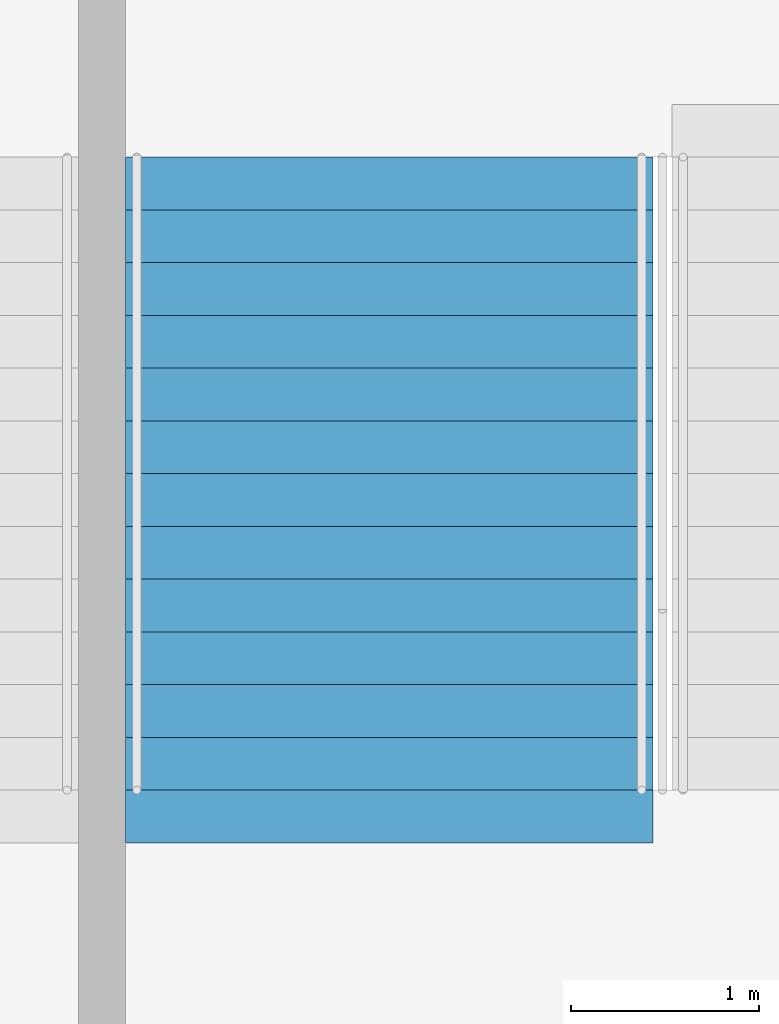
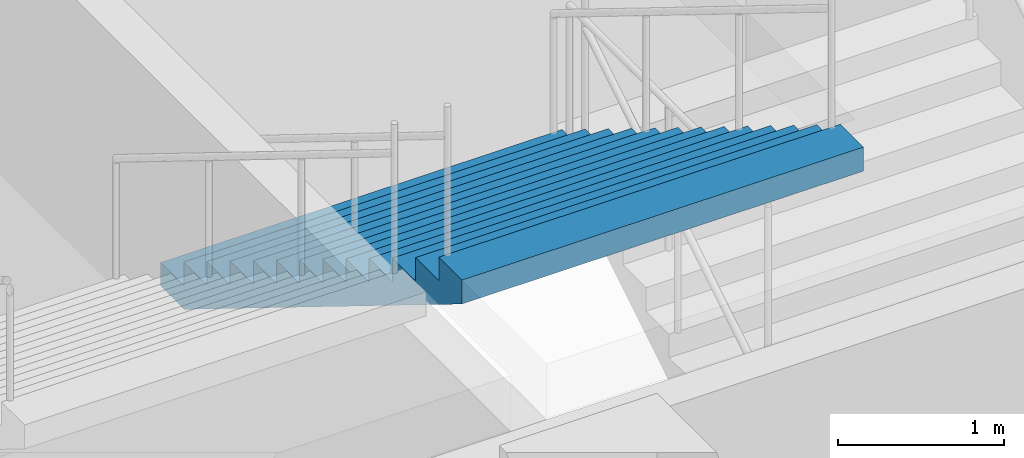
# One storey, part 130 of 175: 1 stair flight, 1 element without a shape of its own.
"""IFC4 building model written with IfcOpenShell, lengths in metres."""

from ifc_helpers import new_model, si_unit, direction, frame, origin, place, context, subcontext, project, spatial, faceted_brep, material, type_object, element, aggregate, save


model = new_model("IFC4")

# Units and contexts
model_context = context("Model", 3, precision=1e-05, world=origin(), true_north=direction((0.0, 1.0)))
body_context = subcontext(model_context, "Body", "Model", "MODEL_VIEW")
ifc_project = project(units=[si_unit("LENGTHUNIT", "METRE"), si_unit("AREAUNIT", "SQUARE_METRE"), si_unit("VOLUMEUNIT", "CUBIC_METRE"), si_unit("PLANEANGLEUNIT", "RADIAN"), si_unit("MASSUNIT", "GRAM", prefix="KILO")], contexts=[model_context])

# Site, building, storey
site_placement = place(None, origin())
site = spatial("IfcSite", under=ifc_project, at=site_placement, CompositionType="ELEMENT")
building_placement = place(site_placement, origin())
building = spatial("IfcBuilding", under=site, at=building_placement, Name="Ogive Plaza Stadium", CompositionType="ELEMENT")
storey_placement = place(building_placement, origin())
storey = spatial("IfcBuildingStorey", under=building, at=storey_placement, Name="L00", CompositionType="ELEMENT", Elevation=0.0)

# Stair, stair flight
ifc_material_1 = material(Name="Concrete C40/50", Category="concrete")
stair_type = type_object("IfcStairType", Name="Exit stair", PredefinedType="STRAIGHT_RUN_STAIR", material=ifc_material_1)
stair_placement = place(storey_placement, origin())
stair = element("IfcStair", 1, at=stair_placement, inside=storey, type_object=stair_type, Name="Exit stair ST32A L00 to L01", PredefinedType="STRAIGHT_RUN_STAIR")
ifc_material_2 = material(Name="Concrete C40/50", Category="concrete")
stair_flight_type = type_object("IfcStairFlightType", Name="Exit stair flight", PredefinedType="STRAIGHT", material=ifc_material_2)
stair_flight_placement = place(storey_placement, frame((-32.47509765625, 98.2099609375, 2.25), z_axis=(0.0, 0.0, 1.0), x_axis=(0.0, -1.0, 0.0)))
stair_flight = element("IfcStairFlight", 2, at=stair_flight_placement, type_object=stair_flight_type, Name="ST32A flight 2", NumberOfRisers=13, NumberOfTreads=12, PredefinedType="STRAIGHT", RiserHeight=0.173076923, TreadLength=0.28, context=body_context, shape_type="Brep", body=[
    faceted_brep([(0.28515625, -1.39990234375, 0.0), (3.639892578125, -1.39990234375, 2.07373046875), (3.639892578125, -1.39990234375, 2.25), (3.360107421875, -1.39990234375, 2.25), (3.360107421875, -1.39990234375, 2.076904296875), (3.080078125, -1.39990234375, 2.076904296875), (3.080078125, -1.39990234375, 1.90380859375), (2.800048828125, -1.39990234375, 1.90380859375), (2.800048828125, -1.39990234375, 1.730712890625), (2.52001953125, -1.39990234375, 1.730712890625), (2.52001953125, -1.39990234375, 1.5576171875), (2.239990234375, -1.39990234375, 1.5576171875), (2.239990234375, -1.39990234375, 1.384521484375), (1.9599609375, -1.39990234375, 1.384521484375), (1.9599609375, -1.39990234375, 1.21142578125), (1.679931640625, -1.39990234375, 1.21142578125), (1.679931640625, -1.39990234375, 1.03857421875), (1.39990234375, -1.39990234375, 1.03857421875), (1.39990234375, -1.39990234375, 0.865478515625), (1.1201171875, -1.39990234375, 0.865478515625), (1.1201171875, -1.39990234375, 0.6923828125), (0.840087890625, -1.39990234375, 0.6923828125), (0.840087890625, -1.39990234375, 0.519287109375), (0.56005859375, -1.39990234375, 0.519287109375), (0.56005859375, -1.39990234375, 0.34619140625), (0.280029296875, -1.39990234375, 0.34619140625), (0.280029296875, -1.39990234375, 0.173095703125), (0.0, -1.39990234375, 0.173095703125), (0.0, -1.39990234375, 0.0), (0.0, 1.39990234375, 0.0), (0.0, 1.39990234375, 0.173095703125), (0.280029296875, 1.39990234375, 0.173095703125), (0.280029296875, 1.39990234375, 0.34619140625), (0.56005859375, 1.39990234375, 0.34619140625), (0.56005859375, 1.39990234375, 0.519287109375), (0.840087890625, 1.39990234375, 0.519287109375), (0.840087890625, 1.39990234375, 0.6923828125), (1.1201171875, 1.39990234375, 0.6923828125), (1.1201171875, 1.39990234375, 0.865478515625), (1.39990234375, 1.39990234375, 0.865478515625), (1.39990234375, 1.39990234375, 1.03857421875), (1.679931640625, 1.39990234375, 1.03857421875), (1.679931640625, 1.39990234375, 1.21142578125), (1.9599609375, 1.39990234375, 1.21142578125), (1.9599609375, 1.39990234375, 1.384521484375), (2.239990234375, 1.39990234375, 1.384521484375), (2.239990234375, 1.39990234375, 1.5576171875), (2.52001953125, 1.39990234375, 1.5576171875), (2.52001953125, 1.39990234375, 1.730712890625), (2.800048828125, 1.39990234375, 1.730712890625), (2.800048828125, 1.39990234375, 1.90380859375), (3.080078125, 1.39990234375, 1.90380859375), (3.080078125, 1.39990234375, 2.076904296875), (3.360107421875, 1.39990234375, 2.076904296875), (3.360107421875, 1.39990234375, 2.25), (3.639892578125, 1.39990234375, 2.25), (3.639892578125, 1.39990234375, 2.07373046875), (0.28515625, 1.39990234375, 0.0), (0.28515625, -1.0888671875, 0.0), (3.639892578125, -1.0888671875, 2.07373046875), (0.28515625, -0.77783203125, 0.0), (3.639892578125, -0.77783203125, 2.07373046875), (0.28515625, -0.466796875, 0.0), (3.639892578125, -0.466796875, 2.07373046875), (0.28515625, -0.155517578125, 0.0), (3.639892578125, -0.155517578125, 2.07373046875), (0.28515625, 0.155517578125, 0.0), (3.639892578125, 0.155517578125, 2.07373046875), (0.28515625, 0.466796875, 0.0), (3.639892578125, 0.466796875, 2.07373046875), (0.28515625, 0.77783203125, 0.0), (3.639892578125, 0.77783203125, 2.07373046875), (0.28515625, 1.0888671875, 0.0), (3.639892578125, 1.0888671875, 2.07373046875), (3.639892578125, -1.0888671875, 2.25), (3.639892578125, -0.77783203125, 2.25), (3.639892578125, -0.466796875, 2.25), (3.639892578125, -0.155517578125, 2.25), (3.639892578125, 0.155517578125, 2.25), (3.639892578125, 0.466796875, 2.25), (3.639892578125, 0.77783203125, 2.25), (3.639892578125, 1.0888671875, 2.25), (3.360107421875, -1.0888671875, 2.25), (3.360107421875, -0.77783203125, 2.25), (3.360107421875, -0.466796875, 2.25), (3.360107421875, -0.155517578125, 2.25), (3.360107421875, 0.155517578125, 2.25), (3.360107421875, 0.466796875, 2.25), (3.360107421875, 0.77783203125, 2.25), (3.360107421875, 1.0888671875, 2.25), (3.360107421875, -1.0888671875, 2.076904296875), (3.360107421875, -0.77783203125, 2.076904296875), (3.360107421875, -0.466796875, 2.076904296875), (3.360107421875, -0.155517578125, 2.076904296875), (3.360107421875, 0.155517578125, 2.076904296875), (3.360107421875, 0.466796875, 2.076904296875), (3.360107421875, 0.77783203125, 2.076904296875), (3.360107421875, 1.0888671875, 2.076904296875), (3.080078125, -1.0888671875, 2.076904296875), (3.080078125, -0.77783203125, 2.076904296875), (3.080078125, -0.466796875, 2.076904296875), (3.080078125, -0.155517578125, 2.076904296875), (3.080078125, 0.155517578125, 2.076904296875), (3.080078125, 0.466796875, 2.076904296875), (3.080078125, 0.77783203125, 2.076904296875), (3.080078125, 1.0888671875, 2.076904296875), (3.080078125, -1.0888671875, 1.90380859375), (3.080078125, -0.77783203125, 1.90380859375), (3.080078125, -0.466796875, 1.90380859375), (3.080078125, -0.155517578125, 1.90380859375), (3.080078125, 0.155517578125, 1.90380859375), (3.080078125, 0.466796875, 1.90380859375), (3.080078125, 0.77783203125, 1.90380859375), (3.080078125, 1.0888671875, 1.90380859375), (2.800048828125, -1.0888671875, 1.90380859375), (2.800048828125, -0.77783203125, 1.90380859375), (2.800048828125, -0.466796875, 1.90380859375), (2.800048828125, -0.155517578125, 1.90380859375), (2.800048828125, 0.155517578125, 1.90380859375), (2.800048828125, 0.466796875, 1.90380859375), (2.800048828125, 0.77783203125, 1.90380859375), (2.800048828125, 1.0888671875, 1.90380859375), (2.800048828125, -1.0888671875, 1.730712890625), (2.800048828125, -0.77783203125, 1.730712890625), (2.800048828125, -0.466796875, 1.730712890625), (2.800048828125, -0.155517578125, 1.730712890625), (2.800048828125, 0.155517578125, 1.730712890625), (2.800048828125, 0.466796875, 1.730712890625), (2.800048828125, 0.77783203125, 1.730712890625), (2.800048828125, 1.0888671875, 1.730712890625), (2.52001953125, -1.0888671875, 1.730712890625), (2.52001953125, -0.77783203125, 1.730712890625), (2.52001953125, -0.466796875, 1.730712890625), (2.52001953125, -0.155517578125, 1.730712890625), (2.52001953125, 0.155517578125, 1.730712890625), (2.52001953125, 0.466796875, 1.730712890625), (2.52001953125, 0.77783203125, 1.730712890625), (2.52001953125, 1.0888671875, 1.730712890625), (2.52001953125, -1.0888671875, 1.5576171875), (2.52001953125, -0.77783203125, 1.5576171875), (2.52001953125, -0.466796875, 1.5576171875), (2.52001953125, -0.155517578125, 1.5576171875), (2.52001953125, 0.155517578125, 1.5576171875), (2.52001953125, 0.466796875, 1.5576171875), (2.52001953125, 0.77783203125, 1.5576171875), (2.52001953125, 1.0888671875, 1.5576171875), (2.239990234375, -1.0888671875, 1.5576171875), (2.239990234375, -0.77783203125, 1.5576171875), (2.239990234375, -0.466796875, 1.5576171875), (2.239990234375, -0.155517578125, 1.5576171875), (2.239990234375, 0.155517578125, 1.5576171875), (2.239990234375, 0.466796875, 1.5576171875), (2.239990234375, 0.77783203125, 1.5576171875), (2.239990234375, 1.0888671875, 1.5576171875), (2.239990234375, -1.0888671875, 1.384521484375), (2.239990234375, -0.77783203125, 1.384521484375), (2.239990234375, -0.466796875, 1.384521484375), (2.239990234375, -0.155517578125, 1.384521484375), (2.239990234375, 0.155517578125, 1.384521484375), (2.239990234375, 0.466796875, 1.384521484375), (2.239990234375, 0.77783203125, 1.384521484375), (2.239990234375, 1.0888671875, 1.384521484375), (1.9599609375, -1.0888671875, 1.384521484375), (1.9599609375, -0.77783203125, 1.384521484375), (1.9599609375, -0.466796875, 1.384521484375), (1.9599609375, -0.155517578125, 1.384521484375), (1.9599609375, 0.155517578125, 1.384521484375), (1.9599609375, 0.466796875, 1.384521484375), (1.9599609375, 0.77783203125, 1.384521484375), (1.9599609375, 1.0888671875, 1.384521484375), (1.9599609375, -1.0888671875, 1.21142578125), (1.9599609375, -0.77783203125, 1.21142578125), (1.9599609375, -0.466796875, 1.21142578125), (1.9599609375, -0.155517578125, 1.21142578125), (1.9599609375, 0.155517578125, 1.21142578125), (1.9599609375, 0.466796875, 1.21142578125), (1.9599609375, 0.77783203125, 1.21142578125), (1.9599609375, 1.0888671875, 1.21142578125), (1.679931640625, -1.0888671875, 1.21142578125), (1.679931640625, -0.77783203125, 1.21142578125), (1.679931640625, -0.466796875, 1.21142578125), (1.679931640625, -0.155517578125, 1.21142578125), (1.679931640625, 0.155517578125, 1.21142578125), (1.679931640625, 0.466796875, 1.21142578125), (1.679931640625, 0.77783203125, 1.21142578125), (1.679931640625, 1.0888671875, 1.21142578125), (1.679931640625, -1.0888671875, 1.03857421875), (1.679931640625, -0.77783203125, 1.03857421875), (1.679931640625, -0.466796875, 1.03857421875), (1.679931640625, -0.155517578125, 1.03857421875), (1.679931640625, 0.155517578125, 1.03857421875), (1.679931640625, 0.466796875, 1.03857421875), (1.679931640625, 0.77783203125, 1.03857421875), (1.679931640625, 1.0888671875, 1.03857421875), (1.39990234375, -1.0888671875, 1.03857421875), (1.39990234375, -0.77783203125, 1.03857421875), (1.39990234375, -0.466796875, 1.03857421875), (1.39990234375, -0.155517578125, 1.03857421875), (1.39990234375, 0.155517578125, 1.03857421875), (1.39990234375, 0.466796875, 1.03857421875), (1.39990234375, 0.77783203125, 1.03857421875), (1.39990234375, 1.0888671875, 1.03857421875), (1.39990234375, -1.0888671875, 0.865478515625), (1.39990234375, -0.77783203125, 0.865478515625), (1.39990234375, -0.466796875, 0.865478515625), (1.39990234375, -0.155517578125, 0.865478515625), (1.39990234375, 0.155517578125, 0.865478515625), (1.39990234375, 0.466796875, 0.865478515625), (1.39990234375, 0.77783203125, 0.865478515625), (1.39990234375, 1.0888671875, 0.865478515625), (1.1201171875, -1.0888671875, 0.865478515625), (1.1201171875, -0.77783203125, 0.865478515625), (1.1201171875, -0.466796875, 0.865478515625), (1.1201171875, -0.155517578125, 0.865478515625), (1.1201171875, 0.155517578125, 0.865478515625), (1.1201171875, 0.466796875, 0.865478515625), (1.1201171875, 0.77783203125, 0.865478515625), (1.1201171875, 1.0888671875, 0.865478515625), (1.1201171875, -1.0888671875, 0.6923828125), (1.1201171875, -0.77783203125, 0.6923828125), (1.1201171875, -0.466796875, 0.6923828125), (1.1201171875, -0.155517578125, 0.6923828125), (1.1201171875, 0.155517578125, 0.6923828125), (1.1201171875, 0.466796875, 0.6923828125), (1.1201171875, 0.77783203125, 0.6923828125), (1.1201171875, 1.0888671875, 0.6923828125), (0.840087890625, -1.0888671875, 0.6923828125), (0.840087890625, -0.77783203125, 0.6923828125), (0.840087890625, -0.466796875, 0.6923828125), (0.840087890625, -0.155517578125, 0.6923828125), (0.840087890625, 0.155517578125, 0.6923828125), (0.840087890625, 0.466796875, 0.6923828125), (0.840087890625, 0.77783203125, 0.6923828125), (0.840087890625, 1.0888671875, 0.6923828125), (0.840087890625, -1.0888671875, 0.519287109375), (0.840087890625, -0.77783203125, 0.519287109375), (0.840087890625, -0.466796875, 0.519287109375), (0.840087890625, -0.155517578125, 0.519287109375), (0.840087890625, 0.155517578125, 0.519287109375), (0.840087890625, 0.466796875, 0.519287109375), (0.840087890625, 0.77783203125, 0.519287109375), (0.840087890625, 1.0888671875, 0.519287109375), (0.56005859375, -1.0888671875, 0.519287109375), (0.56005859375, -0.77783203125, 0.519287109375), (0.56005859375, -0.466796875, 0.519287109375), (0.56005859375, -0.155517578125, 0.519287109375), (0.56005859375, 0.155517578125, 0.519287109375), (0.56005859375, 0.466796875, 0.519287109375), (0.56005859375, 0.77783203125, 0.519287109375), (0.56005859375, 1.0888671875, 0.519287109375), (0.56005859375, -1.0888671875, 0.34619140625), (0.56005859375, -0.77783203125, 0.34619140625), (0.56005859375, -0.466796875, 0.34619140625), (0.56005859375, -0.155517578125, 0.34619140625), (0.56005859375, 0.155517578125, 0.34619140625), (0.56005859375, 0.466796875, 0.34619140625), (0.56005859375, 0.77783203125, 0.34619140625), (0.56005859375, 1.0888671875, 0.34619140625), (0.280029296875, -1.0888671875, 0.34619140625), (0.280029296875, -0.77783203125, 0.34619140625), (0.280029296875, -0.466796875, 0.34619140625), (0.280029296875, -0.155517578125, 0.34619140625), (0.280029296875, 0.155517578125, 0.34619140625), (0.280029296875, 0.466796875, 0.34619140625), (0.280029296875, 0.77783203125, 0.34619140625), (0.280029296875, 1.0888671875, 0.34619140625), (0.280029296875, -1.0888671875, 0.173095703125), (0.280029296875, -0.77783203125, 0.173095703125), (0.280029296875, -0.466796875, 0.173095703125), (0.280029296875, -0.155517578125, 0.173095703125), (0.280029296875, 0.155517578125, 0.173095703125), (0.280029296875, 0.466796875, 0.173095703125), (0.280029296875, 0.77783203125, 0.173095703125), (0.280029296875, 1.0888671875, 0.173095703125), (0.0, -1.0888671875, 0.173095703125), (0.0, -0.77783203125, 0.173095703125), (0.0, -0.466796875, 0.173095703125), (0.0, -0.155517578125, 0.173095703125), (0.0, 0.155517578125, 0.173095703125), (0.0, 0.466796875, 0.173095703125), (0.0, 0.77783203125, 0.173095703125), (0.0, 1.0888671875, 0.173095703125), (0.0, -1.0888671875, 0.0), (0.0, -0.77783203125, 0.0), (0.0, -0.466796875, 0.0), (0.0, -0.155517578125, 0.0), (0.0, 0.155517578125, 0.0), (0.0, 0.466796875, 0.0), (0.0, 0.77783203125, 0.0), (0.0, 1.0888671875, 0.0)], [[[0, 1, 2, 3, 4, 5, 6, 7, 8, 9, 10, 11, 12, 13, 14, 15, 16, 17, 18, 19, 20, 21, 22, 23, 24, 25, 26, 27, 28]], [[29, 30, 31, 32, 33, 34, 35, 36, 37, 38, 39, 40, 41, 42, 43, 44, 45, 46, 47, 48, 49, 50, 51, 52, 53, 54, 55, 56, 57]], [[0, 58, 59, 1]], [[58, 60, 61, 59]], [[60, 62, 63, 61]], [[62, 64, 65, 63]], [[64, 66, 67, 65]], [[66, 68, 69, 67]], [[68, 70, 71, 69]], [[70, 72, 73, 71]], [[72, 57, 56, 73]], [[1, 59, 74, 2]], [[59, 61, 75, 74]], [[61, 63, 76, 75]], [[63, 65, 77, 76]], [[65, 67, 78, 77]], [[67, 69, 79, 78]], [[69, 71, 80, 79]], [[71, 73, 81, 80]], [[73, 56, 55, 81]], [[2, 74, 82, 3]], [[74, 75, 83, 82]], [[75, 76, 84, 83]], [[76, 77, 85, 84]], [[77, 78, 86, 85]], [[78, 79, 87, 86]], [[79, 80, 88, 87]], [[80, 81, 89, 88]], [[81, 55, 54, 89]], [[3, 82, 90, 4]], [[82, 83, 91, 90]], [[83, 84, 92, 91]], [[84, 85, 93, 92]], [[85, 86, 94, 93]], [[86, 87, 95, 94]], [[87, 88, 96, 95]], [[88, 89, 97, 96]], [[89, 54, 53, 97]], [[4, 90, 98, 5]], [[90, 91, 99, 98]], [[91, 92, 100, 99]], [[92, 93, 101, 100]], [[93, 94, 102, 101]], [[94, 95, 103, 102]], [[95, 96, 104, 103]], [[96, 97, 105, 104]], [[97, 53, 52, 105]], [[5, 98, 106, 6]], [[98, 99, 107, 106]], [[99, 100, 108, 107]], [[100, 101, 109, 108]], [[101, 102, 110, 109]], [[102, 103, 111, 110]], [[103, 104, 112, 111]], [[104, 105, 113, 112]], [[105, 52, 51, 113]], [[6, 106, 114, 7]], [[106, 107, 115, 114]], [[107, 108, 116, 115]], [[108, 109, 117, 116]], [[109, 110, 118, 117]], [[110, 111, 119, 118]], [[111, 112, 120, 119]], [[112, 113, 121, 120]], [[113, 51, 50, 121]], [[7, 114, 122, 8]], [[114, 115, 123, 122]], [[115, 116, 124, 123]], [[116, 117, 125, 124]], [[117, 118, 126, 125]], [[118, 119, 127, 126]], [[119, 120, 128, 127]], [[120, 121, 129, 128]], [[121, 50, 49, 129]], [[8, 122, 130, 9]], [[122, 123, 131, 130]], [[123, 124, 132, 131]], [[124, 125, 133, 132]], [[125, 126, 134, 133]], [[126, 127, 135, 134]], [[127, 128, 136, 135]], [[128, 129, 137, 136]], [[129, 49, 48, 137]], [[9, 130, 138, 10]], [[130, 131, 139, 138]], [[131, 132, 140, 139]], [[132, 133, 141, 140]], [[133, 134, 142, 141]], [[134, 135, 143, 142]], [[135, 136, 144, 143]], [[136, 137, 145, 144]], [[137, 48, 47, 145]], [[10, 138, 146, 11]], [[138, 139, 147, 146]], [[139, 140, 148, 147]], [[140, 141, 149, 148]], [[141, 142, 150, 149]], [[142, 143, 151, 150]], [[143, 144, 152, 151]], [[144, 145, 153, 152]], [[145, 47, 46, 153]], [[11, 146, 154, 12]], [[146, 147, 155, 154]], [[147, 148, 156, 155]], [[148, 149, 157, 156]], [[149, 150, 158, 157]], [[150, 151, 159, 158]], [[151, 152, 160, 159]], [[152, 153, 161, 160]], [[153, 46, 45, 161]], [[12, 154, 162, 13]], [[154, 155, 163, 162]], [[155, 156, 164, 163]], [[156, 157, 165, 164]], [[157, 158, 166, 165]], [[158, 159, 167, 166]], [[159, 160, 168, 167]], [[160, 161, 169, 168]], [[161, 45, 44, 169]], [[13, 162, 170, 14]], [[162, 163, 171, 170]], [[163, 164, 172, 171]], [[164, 165, 173, 172]], [[165, 166, 174, 173]], [[166, 167, 175, 174]], [[167, 168, 176, 175]], [[168, 169, 177, 176]], [[169, 44, 43, 177]], [[14, 170, 178, 15]], [[170, 171, 179, 178]], [[171, 172, 180, 179]], [[172, 173, 181, 180]], [[173, 174, 182, 181]], [[174, 175, 183, 182]], [[175, 176, 184, 183]], [[176, 177, 185, 184]], [[177, 43, 42, 185]], [[15, 178, 186, 16]], [[178, 179, 187, 186]], [[179, 180, 188, 187]], [[180, 181, 189, 188]], [[181, 182, 190, 189]], [[182, 183, 191, 190]], [[183, 184, 192, 191]], [[184, 185, 193, 192]], [[185, 42, 41, 193]], [[16, 186, 194, 17]], [[186, 187, 195, 194]], [[187, 188, 196, 195]], [[188, 189, 197, 196]], [[189, 190, 198, 197]], [[190, 191, 199, 198]], [[191, 192, 200, 199]], [[192, 193, 201, 200]], [[193, 41, 40, 201]], [[17, 194, 202, 18]], [[194, 195, 203, 202]], [[195, 196, 204, 203]], [[196, 197, 205, 204]], [[197, 198, 206, 205]], [[198, 199, 207, 206]], [[199, 200, 208, 207]], [[200, 201, 209, 208]], [[201, 40, 39, 209]], [[18, 202, 210, 19]], [[202, 203, 211, 210]], [[203, 204, 212, 211]], [[204, 205, 213, 212]], [[205, 206, 214, 213]], [[206, 207, 215, 214]], [[207, 208, 216, 215]], [[208, 209, 217, 216]], [[209, 39, 38, 217]], [[19, 210, 218, 20]], [[210, 211, 219, 218]], [[211, 212, 220, 219]], [[212, 213, 221, 220]], [[213, 214, 222, 221]], [[214, 215, 223, 222]], [[215, 216, 224, 223]], [[216, 217, 225, 224]], [[217, 38, 37, 225]], [[20, 218, 226, 21]], [[218, 219, 227, 226]], [[219, 220, 228, 227]], [[220, 221, 229, 228]], [[221, 222, 230, 229]], [[222, 223, 231, 230]], [[223, 224, 232, 231]], [[224, 225, 233, 232]], [[225, 37, 36, 233]], [[21, 226, 234, 22]], [[226, 227, 235, 234]], [[227, 228, 236, 235]], [[228, 229, 237, 236]], [[229, 230, 238, 237]], [[230, 231, 239, 238]], [[231, 232, 240, 239]], [[232, 233, 241, 240]], [[233, 36, 35, 241]], [[22, 234, 242, 23]], [[234, 235, 243, 242]], [[235, 236, 244, 243]], [[236, 237, 245, 244]], [[237, 238, 246, 245]], [[238, 239, 247, 246]], [[239, 240, 248, 247]], [[240, 241, 249, 248]], [[241, 35, 34, 249]], [[23, 242, 250, 24]], [[242, 243, 251, 250]], [[243, 244, 252, 251]], [[244, 245, 253, 252]], [[245, 246, 254, 253]], [[246, 247, 255, 254]], [[247, 248, 256, 255]], [[248, 249, 257, 256]], [[249, 34, 33, 257]], [[24, 250, 258, 25]], [[250, 251, 259, 258]], [[251, 252, 260, 259]], [[252, 253, 261, 260]], [[253, 254, 262, 261]], [[254, 255, 263, 262]], [[255, 256, 264, 263]], [[256, 257, 265, 264]], [[257, 33, 32, 265]], [[25, 258, 266, 26]], [[258, 259, 267, 266]], [[259, 260, 268, 267]], [[260, 261, 269, 268]], [[261, 262, 270, 269]], [[262, 263, 271, 270]], [[263, 264, 272, 271]], [[264, 265, 273, 272]], [[265, 32, 31, 273]], [[26, 266, 274, 27]], [[266, 267, 275, 274]], [[267, 268, 276, 275]], [[268, 269, 277, 276]], [[269, 270, 278, 277]], [[270, 271, 279, 278]], [[271, 272, 280, 279]], [[272, 273, 281, 280]], [[273, 31, 30, 281]], [[27, 274, 282, 28]], [[274, 275, 283, 282]], [[275, 276, 284, 283]], [[276, 277, 285, 284]], [[277, 278, 286, 285]], [[278, 279, 287, 286]], [[279, 280, 288, 287]], [[280, 281, 289, 288]], [[281, 30, 29, 289]], [[28, 282, 58, 0]], [[282, 283, 60, 58]], [[283, 284, 62, 60]], [[284, 285, 64, 62]], [[285, 286, 66, 64]], [[286, 287, 68, 66]], [[287, 288, 70, 68]], [[288, 289, 72, 70]], [[289, 29, 57, 72]]]),
])
aggregate(stair, [stair_flight])

save(model, "model.ifc")
